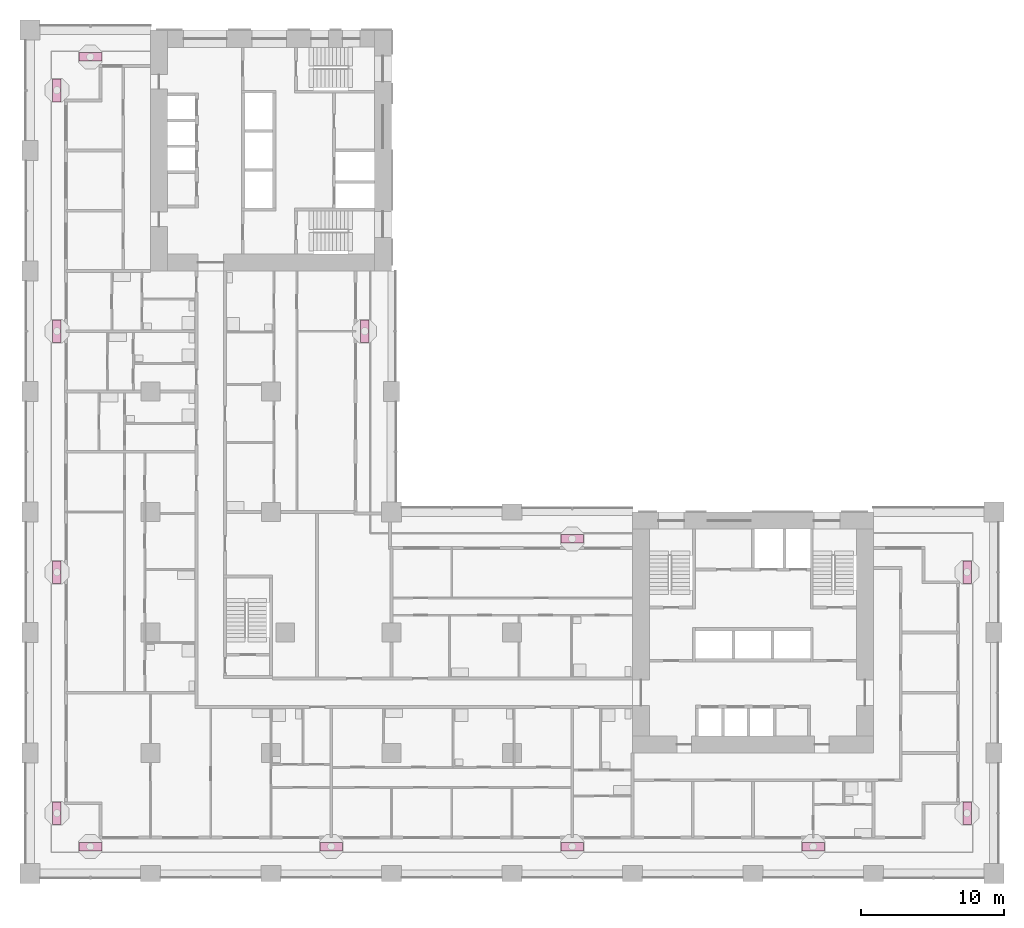
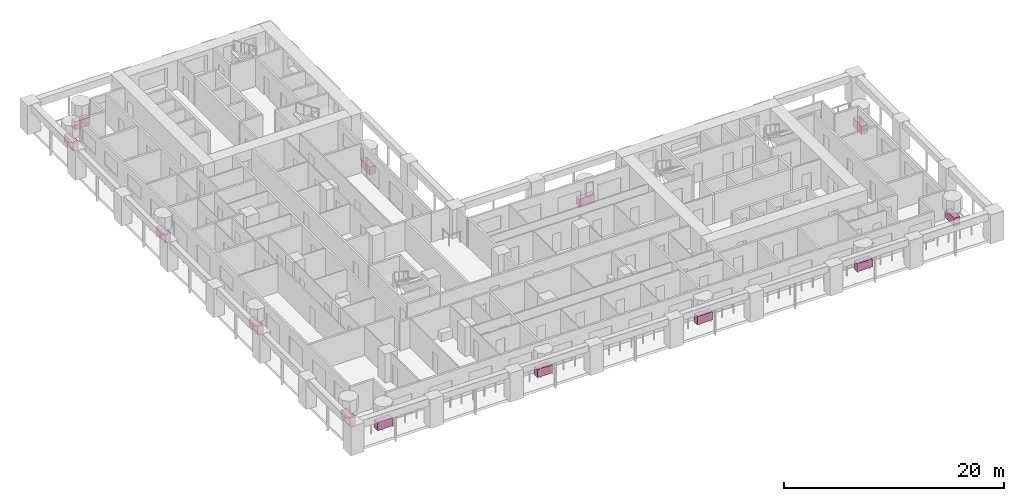
# One storey, part 18 of 19: 13 furniture elements.
"""IFC4 building model written with IfcOpenShell, lengths in metres."""

from ifc_helpers import new_model, si_unit, direction, frame, origin, origin_2d, place, context, subcontext, project, spatial, rectangle, extrude, material, element, save


model = new_model("IFC4")

# Units and contexts
model_context = context("Model", 3, precision=1e-05, world=origin(), true_north=direction((0.0, 1.0)))
body_context = subcontext(model_context, "Body", "Model", "MODEL_VIEW")
ifc_project = project(units=[si_unit("LENGTHUNIT", "METRE"), si_unit("AREAUNIT", "SQUARE_METRE"), si_unit("VOLUMEUNIT", "CUBIC_METRE"), si_unit("PLANEANGLEUNIT", "RADIAN"), si_unit("MASSUNIT", "GRAM", prefix="KILO")], contexts=[model_context])

# Site, building, storey
site_placement = place(None, origin())
site = spatial("IfcSite", under=ifc_project, at=site_placement, CompositionType="ELEMENT")
building_placement = place(site_placement, origin())
building = spatial("IfcBuilding", under=site, at=building_placement, Name="Vermilion Gate Residences", CompositionType="ELEMENT")
storey_placement = place(building_placement, frame((0.0, 0.0, 32.199951171875)))
storey = spatial("IfcBuildingStorey", under=building, at=storey_placement, Name="L06", CompositionType="ELEMENT", Elevation=32.199951171875)

# Furniture
ifc_material = material(Name="Terracotta planter", Category="masonry")
for number, where, z_axis, x_axis, name in (
    (1, (4.199951171875, 1.875, 0.0), (0.0, 0.0, 1.0), (1.0, 0.0, 0.0), "PLANTER"),
    (2, (21.0, 1.875, 0.0), (0.0, 0.0, 1.0), (1.0, 0.0, 0.0), "PLANTER"),
    (3, (37.800048828125, 1.875, 0.0), (0.0, 0.0, 1.0), (1.0, 0.0, 0.0), "PLANTER"),
    (4, (54.60009765625, 1.875, 0.0), (0.0, 0.0, 1.0), (1.0, 0.0, 0.0), "PLANTER"),
    (5, (65.324951171875, 4.199951171875, 0.0), (0.0, 0.0, 1.0), (0.0, 1.0, 0.0), "PLANTER"),
    (6, (65.324951171875, 21.0, 0.0), (0.0, 0.0, 1.0), (0.0, 1.0, 0.0), "PLANTER"),
    (7, (37.800048828125, 23.324951171875, 0.0), (0.0, 0.0, 1.0), (-1.0, 0.0, 0.0), "PLANTER"),
    (8, (23.324951171875, 37.800048828125, 0.0), (0.0, 0.0, 1.0), (0.0, 1.0, 0.0), "PLANTER"),
    (9, (4.199951171875, 56.925048828125, 0.0), (0.0, 0.0, 1.0), (-1.0, 0.0, 0.0), "PLANTER"),
    (10, (1.875, 4.199951171875, 0.0), (0.0, 0.0, 1.0), (0.0, -1.0, 0.0), "PLANTER"),
    (11, (1.875, 21.0, 0.0), (0.0, 0.0, 1.0), (0.0, -1.0, 0.0), "PLANTER"),
    (12, (1.875, 37.800048828125, 0.0), (0.0, 0.0, 1.0), (0.0, -1.0, 0.0), "PLANTER"),
    (13, (1.875, 54.60009765625, 0.0), (0.0, 0.0, 1.0), (0.0, -1.0, 0.0), "PLANTER"),
):
    element("IfcFurniture", number, at=place(storey_placement, frame(where, z_axis=z_axis, x_axis=x_axis)), inside=storey, material=ifc_material, Name=name, ObjectType="PLANTER", PredefinedType="USERDEFINED", context=body_context, shape_type="SweptSolid", body=[
        extrude(rectangle(XDim=1.60009765625, YDim=0.60009765625, at=origin_2d()), origin(), (0.0, 0.0, 1.0), 0.89990234375),
    ])

save(model, "model.ifc")
